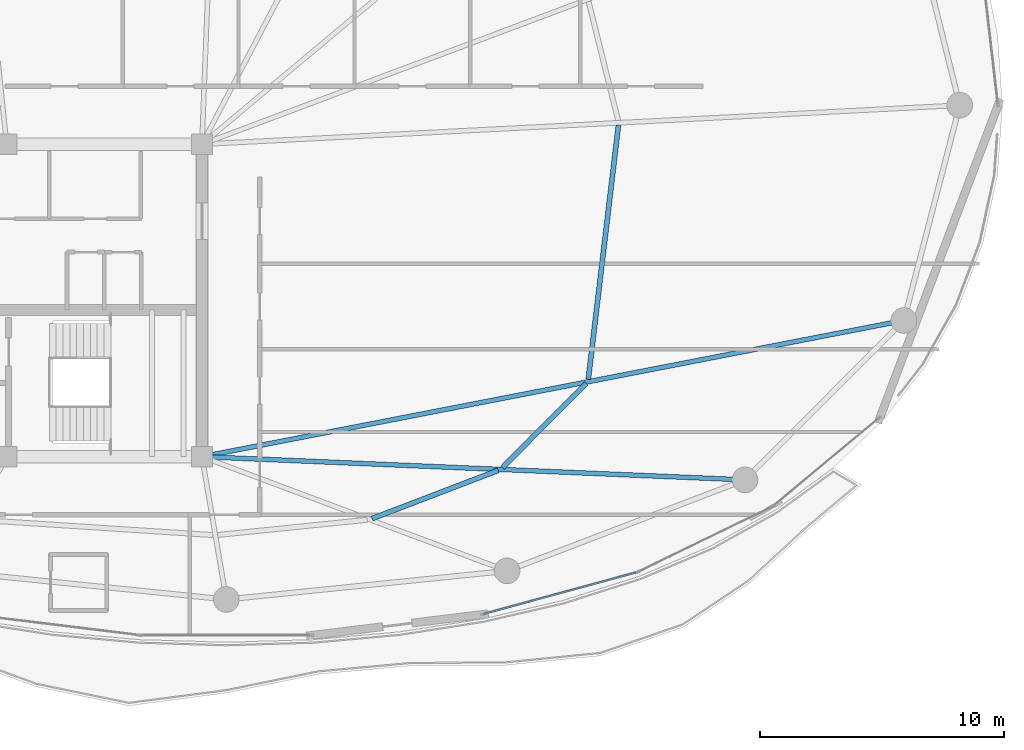
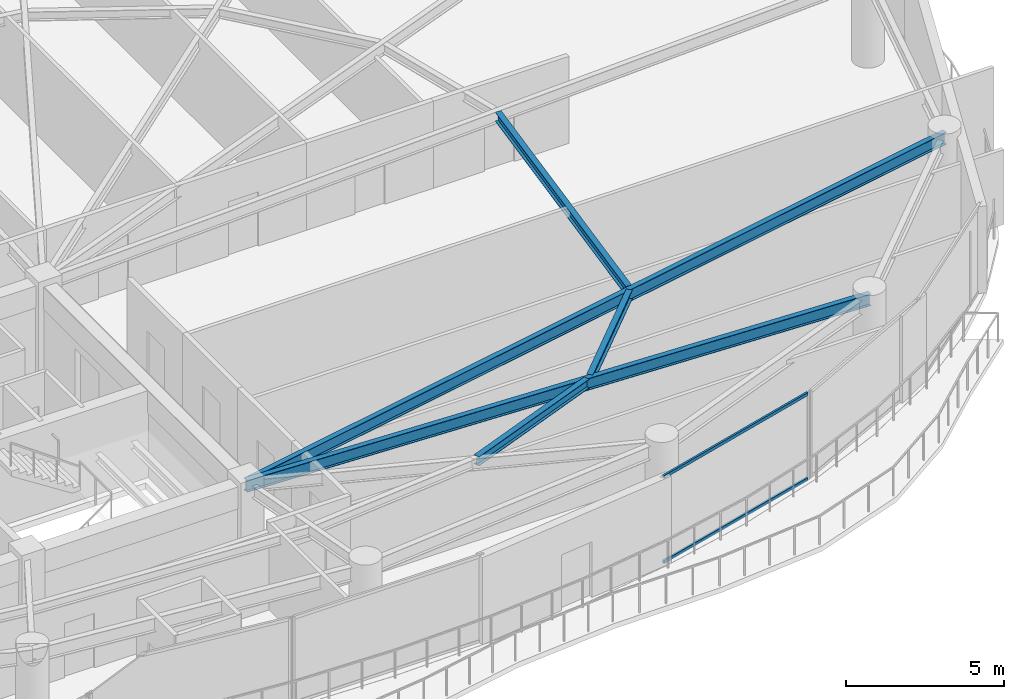
# One storey, part 12 of 31: 5 beams, 2 members, 1 element without a shape of its own.
"""IFC4 building model written with IfcOpenShell, lengths in metres."""

from ifc_helpers import new_model, si_unit, direction, frame, origin, origin_2d, place, context, subcontext, project, spatial, hollow_rectangle, i_section, extrude, material, layer, layer_set, material_profile, profile_set, type_object, element, aggregate, save


model = new_model("IFC4")

# Units and contexts
model_context = context("Model", 3, precision=1e-05, world=origin(), true_north=direction((0.0, 1.0)))
body_context = subcontext(model_context, "Body", "Model", "MODEL_VIEW")
ifc_project = project(units=[si_unit("LENGTHUNIT", "METRE"), si_unit("AREAUNIT", "SQUARE_METRE"), si_unit("VOLUMEUNIT", "CUBIC_METRE"), si_unit("PLANEANGLEUNIT", "RADIAN"), si_unit("MASSUNIT", "GRAM", prefix="KILO")], contexts=[model_context])

# Site, building, storey
site_placement = place(None, origin())
site = spatial("IfcSite", under=ifc_project, at=site_placement, CompositionType="ELEMENT")
building_placement = place(site_placement, origin())
building = spatial("IfcBuilding", under=site, at=building_placement, Name="Kazevale Care Tower and Concert Hall", CompositionType="ELEMENT")
storey_placement = place(building_placement, frame((0.0, 0.0, 210.0)))
storey = spatial("IfcBuildingStorey", under=building, at=storey_placement, Name="L55", CompositionType="ELEMENT", Elevation=210.0)

# Curtain wall, members
ifc_material_1 = material(Name="Aluminium 6063-T6 and Low-E Glass", Category="aluminium")
ifc_layer = layer(ifc_material_1, 0.179931640625)
ifc_layer_set = layer_set([ifc_layer], Name="Aluminium 6063-T6 and Low-E Glass")
curtain_wall_type = type_object("IfcCurtainWallType", Name="Sheltered Concave Balcony Curtain Wall CW-5", PredefinedType="NOTDEFINED", material=ifc_layer_set)
curtain_wall_placement = place(storey_placement, origin())
curtain_wall = element("IfcCurtainWall", 1, at=curtain_wall_placement, inside=storey, type_object=curtain_wall_type, Name="cw:L55:f04", PredefinedType="NOTDEFINED")
ifc_material_2 = material(Name="Aluminium 6063-T6", Category="aluminium")
ifc_material_profile_1 = material_profile(ifc_material_2, hollow_rectangle(XDim=0.074951171875, YDim=0.1201171875, WallThickness=0.00390625, at=origin_2d()), Name="ALU75x120x4")
ifc_profile_set_1 = profile_set([ifc_material_profile_1], Name="Aluminium 6063-T6")
member_type = type_object("IfcMemberType", Name="CW-5 Transom ALU75x120x4", PredefinedType="USERDEFINED", material=ifc_profile_set_1)
member_1_placement = place(storey_placement, frame((61.78369140625, 18.853271484375, 0.03759765625), z_axis=(-0.964843890632, -0.262823641842, 0.0), x_axis=(0.262823641842, -0.964843890632, 0.0)))
member_1 = element("IfcMember", 2, at=member_1_placement, type_object=member_type, Name="CW-5 transom 1.1", ObjectType="TRANSOM", PredefinedType="USERDEFINED", context=body_context, shape_type="SweptSolid", body=[
    extrude(hollow_rectangle(XDim=0.074951171875, YDim=0.1201171875, WallThickness=0.00390625, at=origin_2d()), origin(), (0.0, 0.0, 1.0), 6.469970703125),
])
member_2_placement = place(storey_placement, frame((61.78369140625, 18.853271484375, 3.322509765625), z_axis=(-0.964843890632, -0.262823641842, 0.0), x_axis=(0.262823641842, -0.964843890632, 0.0)))
member_2 = element("IfcMember", 3, at=member_2_placement, type_object=member_type, Name="CW-5 transom 1.2", ObjectType="TRANSOM", PredefinedType="USERDEFINED", context=body_context, shape_type="SweptSolid", body=[
    extrude(hollow_rectangle(XDim=0.074951171875, YDim=0.1201171875, WallThickness=0.00390625, at=origin_2d()), origin(), (0.0, 0.0, 1.0), 6.469970703125),
])
aggregate(curtain_wall, [member_1, member_2])

# Beams
ifc_material_3 = material(Name="Steel ASTM A572 Gr 50", Category="steel")
ifc_material_profile_2 = material_profile(ifc_material_3, i_section(OverallWidth=0.19091796875, OverallDepth=0.4599609375, WebThickness=0.010009765625, FlangeThickness=0.01611328125, at=origin_2d()), Name="W460x82")
ifc_profile_set_2 = profile_set([ifc_material_profile_2], Name="Steel ASTM A572 Gr 50")
beam_type_1 = type_object("IfcBeamType", Name="Radial Floor Beam W460x82", PredefinedType="BEAM", material=ifc_profile_set_2)
beam_1_placement = place(storey_placement, frame((44.0, 23.60009765625, 3.1298828125), z_axis=(0.999089369477, -0.042666518456, 0.0), x_axis=(0.042666518456, 0.999089369477, 0.0)))
element("IfcBeam", 4, at=beam_1_placement, inside=storey, type_object=beam_type_1, Name="beam:L55:rad:15", PredefinedType="BEAM", context=body_context, shape_type="SweptSolid", body=[
    extrude(i_section(OverallWidth=0.19091796875, OverallDepth=0.4599609375, WebThickness=0.010009765625, FlangeThickness=0.01611328125, at=origin_2d()), origin(), (0.0, 0.0, 1.0), 22.270263671875),
])
beam_2_placement = place(storey_placement, frame((44.0, 23.60009765625, 3.1298828125), z_axis=(0.981694544574, 0.190462125247, 0.0), x_axis=(-0.190462125247, 0.981694544574, 0.0)))
element("IfcBeam", 5, at=beam_2_placement, inside=storey, type_object=beam_type_1, Name="beam:L55:rad:16", PredefinedType="BEAM", context=body_context, shape_type="SweptSolid", body=[
    extrude(i_section(OverallWidth=0.19091796875, OverallDepth=0.4599609375, WebThickness=0.010009765625, FlangeThickness=0.01611328125, at=origin_2d()), origin(), (0.0, 0.0, 1.0), 29.29638671875),
])
ifc_material_profile_3 = material_profile(ifc_material_3, i_section(OverallWidth=0.205078125, OverallDepth=0.35400390625, WebThickness=0.009521484375, FlangeThickness=0.016845703125, at=origin_2d()), Name="W360x79")
ifc_profile_set_3 = profile_set([ifc_material_profile_3], Name="Steel ASTM A572 Gr 50")
beam_type_2 = type_object("IfcBeamType", Name="Secondary Floor Joist W360x79", PredefinedType="JOIST", material=ifc_profile_set_3)
beam_3_placement = place(storey_placement, frame((50.972900390625, 21.06396484375, 3.18310546875), z_axis=(0.934001589337, 0.35726884991, 0.0), x_axis=(-0.35726884991, 0.934001589337, 0.0)))
element("IfcBeam", 6, at=beam_3_placement, inside=storey, type_object=beam_type_2, Name="beam:L55:joist:14", PredefinedType="JOIST", context=body_context, shape_type="SweptSolid", body=[
    extrude(i_section(OverallWidth=0.205078125, OverallDepth=0.35400390625, WebThickness=0.009521484375, FlangeThickness=0.016845703125, at=origin_2d()), origin(), (0.0, 0.0, 1.0), 5.531005859375),
])
beam_4_placement = place(storey_placement, frame((56.31201171875, 23.152099609375, 3.18310546875), z_axis=(0.705975874919, 0.708235881633, 0.0), x_axis=(-0.708235881633, 0.705975874919, 0.0)))
element("IfcBeam", 7, at=beam_4_placement, inside=storey, type_object=beam_type_2, Name="beam:L55:joist:15", PredefinedType="JOIST", context=body_context, shape_type="SweptSolid", body=[
    extrude(i_section(OverallWidth=0.205078125, OverallDepth=0.35400390625, WebThickness=0.009521484375, FlangeThickness=0.016845703125, at=origin_2d()), origin(), (0.0, 0.0, 1.0), 4.861083984375),
])
beam_5_placement = place(storey_placement, frame((59.830078125, 26.77294921875, 3.18310546875), z_axis=(0.117874218468, 0.993028533639, 0.0), x_axis=(-0.993028533639, 0.117874218468, 0.0)))
element("IfcBeam", 8, at=beam_5_placement, inside=storey, type_object=beam_type_2, Name="beam:L55:joist:16", PredefinedType="JOIST", context=body_context, shape_type="SweptSolid", body=[
    extrude(i_section(OverallWidth=0.205078125, OverallDepth=0.35400390625, WebThickness=0.009521484375, FlangeThickness=0.016845703125, at=origin_2d()), origin(), (0.0, 0.0, 1.0), 10.47607421875),
])

save(model, "model.ifc")
